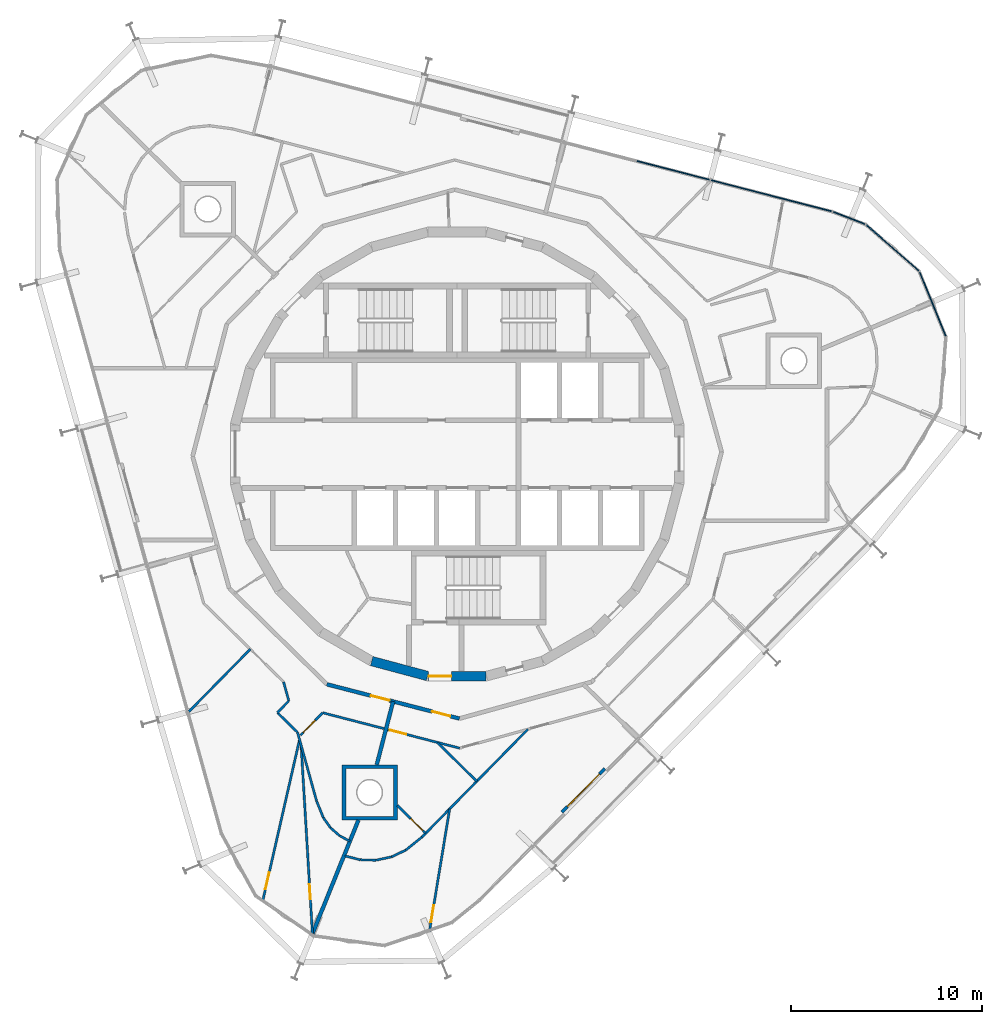
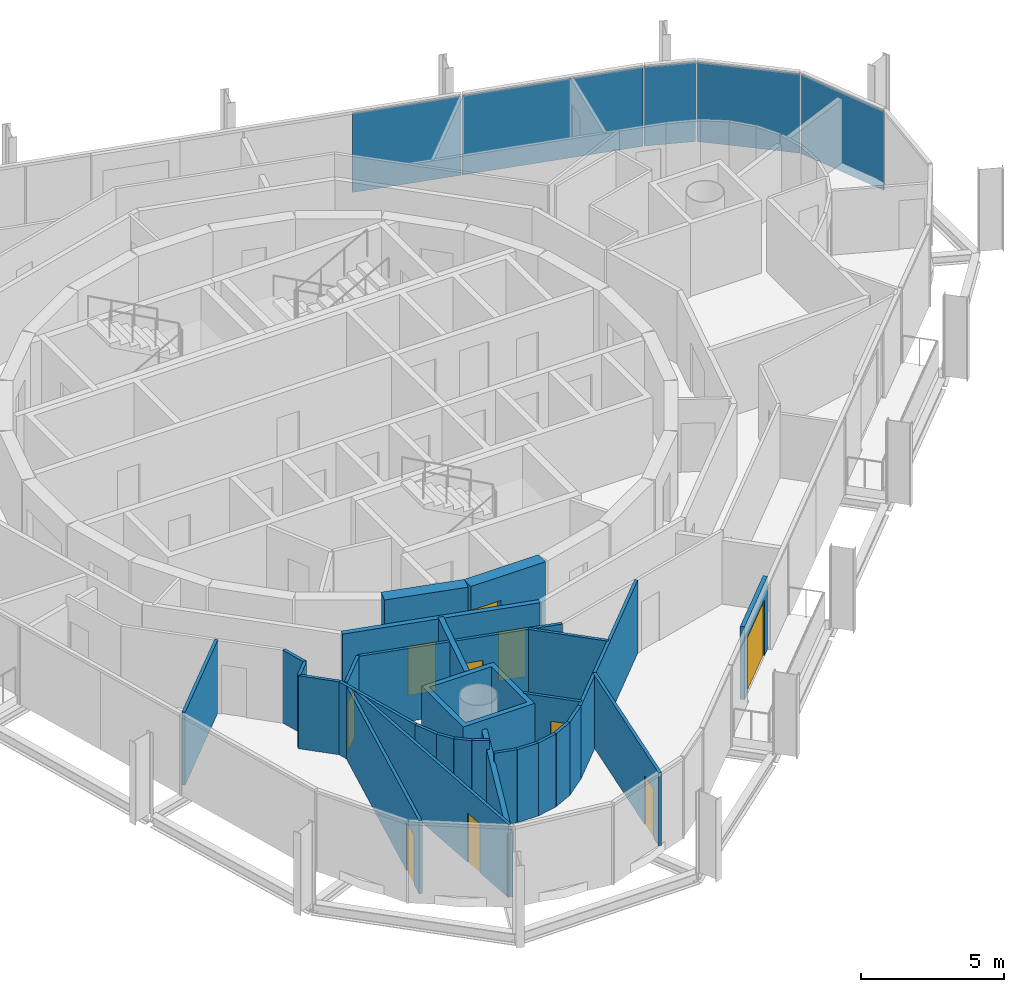
# One storey, part 9 of 15: 29 walls, 10 doors, 5 plates, 10 openings, 2 elements without a shape of their own.
"""IFC4 building model written with IfcOpenShell, lengths in metres."""

from ifc_helpers import new_model, si_unit, direction, frame, frame_2d, origin, origin_2d, place, context, subcontext, project, spatial, polyline, rectangle, outline, extrude, material, layer, layer_set, type_object, element, fill, aggregate, save


model = new_model("IFC4")

# Units and contexts
model_context = context("Model", 3, precision=1e-05, world=origin(), true_north=direction((0.0, 1.0)))
body_context = subcontext(model_context, "Body", "Model", "MODEL_VIEW")
ifc_project = project(units=[si_unit("LENGTHUNIT", "METRE"), si_unit("AREAUNIT", "SQUARE_METRE"), si_unit("VOLUMEUNIT", "CUBIC_METRE"), si_unit("PLANEANGLEUNIT", "RADIAN"), si_unit("MASSUNIT", "GRAM", prefix="KILO")], contexts=[model_context])

# Site, building, storey
site_placement = place(None, origin())
site = spatial("IfcSite", under=ifc_project, at=site_placement, CompositionType="ELEMENT")
building_placement = place(site_placement, origin())
building = spatial("IfcBuilding", under=site, at=building_placement, Name="Spindle Arch Residences", CompositionType="ELEMENT")
storey_placement = place(building_placement, frame((0.0, 0.0, 319.199951171875)))
storey = spatial("IfcBuildingStorey", under=building, at=storey_placement, Name="L82", CompositionType="ELEMENT", Elevation=319.199951171875)

# Curtain wall, plates
ifc_material_1 = material(Name="Aluminium bronze unitised frame with tinted glass", Category="aluminium")
ifc_layer_1 = layer(ifc_material_1, 0.159912109375)
ifc_layer_set_1 = layer_set([ifc_layer_1], Name="CW-D corner wall on the fillet arcs")
curtain_wall_type_1 = type_object("IfcCurtainWallType", Name="CW-D corner wall on the fillet arcs", PredefinedType="NOTDEFINED", material=ifc_layer_set_1)
curtain_wall_1_placement = place(storey_placement, origin())
curtain_wall_1 = element("IfcCurtainWall", 1, at=curtain_wall_1_placement, inside=storey, type_object=curtain_wall_type_1, Name="CW-D L82 run 1", PredefinedType="NOTDEFINED")
ifc_material_2 = material(Name="Tinted double glazing over aluminium faced non-combustible spandrel zone (K0)", Category="aluminium")
ifc_layer_2 = layer(ifc_material_2, 0.06005859375)
ifc_layer_set_2 = layer_set([ifc_layer_2], Name="Unitised glass panel with E 60 spandrel zone")
plate_type = type_object("IfcPlateType", Name="Unitised glass panel with E 60 spandrel zone", PredefinedType="CURTAIN_PANEL", material=ifc_layer_set_2)
plate_1_placement = place(storey_placement, frame((24.94384765625, 7.86474609375, -0.3798828125), z_axis=(0.0, 0.0, 1.0), x_axis=(-0.377302072189, 0.926090247396, 0.0)))
plate_1 = element("IfcPlate", 2, at=plate_1_placement, type_object=plate_type, Name="CW-D unit 03", PredefinedType="CURTAIN_PANEL", context=body_context, shape_type="SweptSolid", body=[
    extrude(rectangle(XDim=3.666748046875, YDim=0.06005859375, at=origin_2d()), origin(), (0.0, 0.0, 1.0), 3.3798828125),
])
plate_2_placement = place(storey_placement, frame((22.837890625, 10.81689453125, -0.3798828125), z_axis=(0.0, 0.0, 1.0), x_axis=(-0.752797991635, 0.658251611308, 0.0)))
plate_2 = element("IfcPlate", 3, at=plate_2_placement, type_object=plate_type, Name="CW-D unit 04", PredefinedType="CURTAIN_PANEL", context=body_context, shape_type="SweptSolid", body=[
    extrude(rectangle(XDim=3.666748046875, YDim=0.06005859375, at=origin_2d()), origin(), (0.0, 0.0, 1.0), 3.3798828125),
])
plate_3_placement = place(storey_placement, frame((20.560546875, 12.38232421875, -0.3798828125), z_axis=(0.0, 0.0, 1.0), x_axis=(-0.932534030225, 0.361082099353, 0.0)))
plate_3 = element("IfcPlate", 4, at=plate_3_placement, type_object=plate_type, Name="CW-D unit 05", PredefinedType="CURTAIN_PANEL", context=body_context, shape_type="SweptSolid", body=[
    extrude(rectangle(XDim=1.816162109375, YDim=0.06005859375, at=origin_2d()), origin(), (0.0, 0.0, 1.0), 3.3798828125),
])
plate_4_placement = place(storey_placement, frame((16.483154296875, 13.549072265625, -0.3798828125), z_axis=(0.0, 0.0, 1.0), x_axis=(-0.968147640378, 0.250380004054, 0.0)))
plate_4 = element("IfcPlate", 5, at=plate_4_placement, type_object=plate_type, Name="CW-D unit 06", PredefinedType="CURTAIN_PANEL", context=body_context, shape_type="SweptSolid", body=[
    extrude(rectangle(XDim=6.555908203125, YDim=0.06005859375, at=origin_2d()), origin(), (0.0, 0.0, 1.0), 3.3798828125),
])
aggregate(curtain_wall_1, [plate_1, plate_2, plate_3, plate_4])

# Curtain wall, plate
ifc_material_3 = material(Name="Aluminium bronze unitised frame with tinted glass", Category="aluminium")
ifc_layer_3 = layer(ifc_material_3, 0.159912109375)
ifc_layer_set_3 = layer_set([ifc_layer_3], Name="CW-C typical residential unitised wall")
curtain_wall_type_2 = type_object("IfcCurtainWallType", Name="CW-C typical residential unitised wall", PredefinedType="NOTDEFINED", material=ifc_layer_set_3)
curtain_wall_2_placement = place(storey_placement, origin())
curtain_wall_2 = element("IfcCurtainWall", 6, at=curtain_wall_2_placement, inside=storey, type_object=curtain_wall_type_2, Name="CW-C L82 run 2", PredefinedType="NOTDEFINED")
plate_5_placement = place(storey_placement, frame((11.34521484375, 14.8779296875, -0.3798828125), z_axis=(0.0, 0.0, 1.0), x_axis=(-0.968147640378, 0.250380004054, 0.0)))
plate_5 = element("IfcPlate", 7, at=plate_5_placement, type_object=plate_type, Name="CW-C unit 05A", PredefinedType="CURTAIN_PANEL", context=body_context, shape_type="SweptSolid", body=[
    extrude(rectangle(XDim=3.9375, YDim=0.06005859375, at=origin_2d()), origin(), (0.0, 0.0, 1.0), 3.3798828125),
])
aggregate(curtain_wall_2, [plate_5])

# Wall
ifc_material_4 = material(Name="Concrete C50/60", Category="concrete")
ifc_layer_4 = layer(ifc_material_4, 0.5)
ifc_layer_set_4 = layer_set([ifc_layer_4], Name="Core outline wall 500")
wall_type_1 = type_object("IfcWallType", Name="Core outline wall 500", PredefinedType="SHEAR", material=ifc_layer_set_4)
wall_1_placement = place(storey_placement, frame((-4.479248046875, -10.858154296875, 0.0), z_axis=(0.0, 0.0, 1.0), x_axis=(0.965948410781, -0.258734743916, 0.0)))
element("IfcWall", 8, at=wall_1_placement, inside=storey, type_object=wall_type_1, Name="Core outline wall 23", PredefinedType="SHEAR", context=body_context, shape_type="SweptSolid", body=[
    extrude(rectangle(XDim=3.03271484375, YDim=0.5, at=frame_2d((1.516357421875, 0.0))), origin(), (0.0, 0.0, 1.0), 3.1201171875),
])

# Wall, opening, door
wall_2_placement = place(storey_placement, frame((-1.516357421875, -11.647216796875, 0.0), z_axis=(0.0, 0.0, 1.0), x_axis=(1.0, 0.0, 0.0)))
wall_2 = element("IfcWall", 9, at=wall_2_placement, inside=storey, type_object=wall_type_1, Name="Core outline wall 24", PredefinedType="SHEAR", context=body_context, shape_type="SweptSolid", body=[
    extrude(rectangle(XDim=3.03271484375, YDim=0.5, at=frame_2d((1.516357421875, 0.0))), origin(), (0.0, 0.0, 1.0), 3.1201171875),
])
opening_1_placement = place(wall_2_placement, frame((0.016357421875, 0.0, 0.0)))
opening_1 = element("IfcOpeningElement", 10, at=opening_1_placement, cuts=wall_2, Name="Opening R8C0-AD03", PredefinedType="OPENING", context=body_context, shape_type="SweptSolid", body=[
    extrude(rectangle(XDim=1.199951171875, YDim=2.10009765625, at=frame_2d((0.60009765625, 1.050048828125))), frame((0.0, 0.260009765625, 0.0), z_axis=(0.0, -1.0, 0.0), x_axis=(1.0, 0.0, 0.0)), (0.0, 0.0, 1.0), 0.52001953125),
])
ifc_material_5 = material(Name="Steel, fire-resisting door", Category="steel")
door_type_1 = type_object("IfcDoorType", Name="Stair airlock door 1200x2100", OperationType="SINGLE_SWING_LEFT", PredefinedType="DOOR", material=ifc_material_5)
door_1_placement = place(opening_1_placement, origin())
door_1 = element("IfcDoor", 11, at=door_1_placement, inside=storey, type_object=door_type_1, Name="Stair airlock door R8C0-AD03", OperationType="SINGLE_SWING_RIGHT", OverallHeight=2.10009765625, OverallWidth=1.199951171875, PredefinedType="DOOR", context=body_context, shape_type="SweptSolid", body=[
    extrude(rectangle(XDim=1.199951171875, YDim=2.10009765625, at=frame_2d((0.60009765625, 1.050048828125))), frame((0.0, 0.02490234375, 0.0), z_axis=(0.0, -1.0, 0.0), x_axis=(1.0, 0.0, 0.0)), (0.0, 0.0, 1.0), 0.050048828125),
])
fill(opening_1, door_1)

# Wall, openings, doors
ifc_material_6 = material(Name="Calcium silicate block, plastered")
ifc_layer_5 = layer(ifc_material_6, 0.199951171875)
ifc_layer_set_5 = layer_set([ifc_layer_5], Name="Corridor wall 200")
wall_type_2 = type_object("IfcWallType", Name="Corridor wall 200", PredefinedType="STANDARD", material=ifc_layer_set_5)
wall_3_placement = place(storey_placement, frame((-6.831298828125, -12.07421875, 0.0), z_axis=(0.0, 0.0, 1.0), x_axis=(0.968144780225, -0.250391063186, 0.0)))
wall_3 = element("IfcWall", 12, at=wall_3_placement, inside=storey, type_object=wall_type_2, Name="Corridor wall R8C0-W014", PredefinedType="STANDARD", context=body_context, shape_type="SweptSolid", body=[
    extrude(rectangle(XDim=7.18115234375, YDim=0.199951171875, at=frame_2d((3.590576171875, 0.0))), origin(), (0.0, 0.0, 1.0), 3.1201171875),
])
opening_2_placement = place(wall_3_placement, frame((2.390380859375, 0.0, 0.0)))
opening_2 = element("IfcOpeningElement", 13, at=opening_2_placement, cuts=wall_3, Name="Opening R8C0-FD04", PredefinedType="OPENING", context=body_context, shape_type="SweptSolid", body=[
    extrude(rectangle(XDim=1.0, YDim=2.10009765625, at=frame_2d((0.5, 1.050048828125))), frame((0.0, 0.10986328125, 0.0), z_axis=(0.0, -1.0, 0.0), x_axis=(1.0, 0.0, 0.0)), (0.0, 0.0, 1.0), 0.219970703125),
])
opening_3_placement = place(wall_3_placement, frame((5.6904296875, 0.0, 0.0)))
opening_3 = element("IfcOpeningElement", 14, at=opening_3_placement, cuts=wall_3, Name="Opening R8C0-FD05", PredefinedType="OPENING", context=body_context, shape_type="SweptSolid", body=[
    extrude(rectangle(XDim=1.0, YDim=2.10009765625, at=frame_2d((0.5, 1.050048828125))), frame((0.0, 0.10986328125, 0.0), z_axis=(0.0, -1.0, 0.0), x_axis=(1.0, 0.0, 0.0)), (0.0, 0.0, 1.0), 0.219970703125),
])
ifc_material_7 = material(Name="Timber, fire-resisting door set", Category="wood")
door_type_2 = type_object("IfcDoorType", Name="Flat entrance door 1000x2100", OperationType="NOTDEFINED", PredefinedType="DOOR", material=ifc_material_7)
door_2_placement = place(opening_2_placement, origin())
door_2 = element("IfcDoor", 15, at=door_2_placement, inside=storey, type_object=door_type_2, Name="Flat entrance door R8C0-FD04", OperationType="SINGLE_SWING_RIGHT", OverallHeight=2.10009765625, OverallWidth=1.0, PredefinedType="DOOR", context=body_context, shape_type="SweptSolid", body=[
    extrude(rectangle(XDim=1.0, YDim=2.10009765625, at=frame_2d((0.5, 1.050048828125))), frame((0.0, 0.02490234375, 0.0), z_axis=(0.0, -1.0, 0.0), x_axis=(1.0, 0.0, 0.0)), (0.0, 0.0, 1.0), 0.050048828125),
])
fill(opening_2, door_2)
door_3_placement = place(opening_3_placement, origin())
door_3 = element("IfcDoor", 16, at=door_3_placement, inside=storey, type_object=door_type_2, Name="Flat entrance door R8C0-FD05", OperationType="SINGLE_SWING_LEFT", OverallHeight=2.10009765625, OverallWidth=1.0, PredefinedType="DOOR", context=body_context, shape_type="SweptSolid", body=[
    extrude(rectangle(XDim=1.0, YDim=2.10009765625, at=frame_2d((0.5, 1.050048828125))), frame((0.0, 0.02490234375, 0.0), z_axis=(0.0, -1.0, 0.0), x_axis=(1.0, 0.0, 0.0)), (0.0, 0.0, 1.0), 0.050048828125),
])
fill(opening_3, door_3)

# Walls
ifc_material_8 = material(Name="Plasterboard on steel studs", Category="steel")
ifc_layer_6 = layer(ifc_material_8, 0.1201171875)
ifc_layer_set_6 = layer_set([ifc_layer_6], Name="Flat partition 120")
wall_type_3 = type_object("IfcWallType", Name="Flat partition 120", PredefinedType="PARTITIONING", material=ifc_layer_set_6)
wall_4_placement = place(storey_placement, frame((-9.103759765625, -11.944091796875, 0.0), z_axis=(0.0, 0.0, 1.0), x_axis=(0.267317596771, -0.963608479859, 0.0)))
element("IfcWall", 17, at=wall_4_placement, inside=storey, type_object=wall_type_3, Name="Flat partition R8C0-W069", PredefinedType="PARTITIONING", context=body_context, shape_type="SweptSolid", body=[
    extrude(rectangle(XDim=1.0419921875, YDim=0.1201171875, at=frame_2d((0.52099609375, 0.0))), origin(), (0.0, 0.0, 1.0), 3.1201171875),
])
wall_5_placement = place(storey_placement, frame((-8.8251953125, -12.9482421875, 0.0), z_axis=(0.0, 0.0, 1.0), x_axis=(-0.700949034431, -0.713211364976, 0.0)))
element("IfcWall", 18, at=wall_5_placement, inside=storey, type_object=wall_type_3, Name="Flat partition R8C0-W070", PredefinedType="PARTITIONING", context=body_context, shape_type="SweptSolid", body=[
    extrude(rectangle(XDim=0.856201171875, YDim=0.1201171875, at=frame_2d((0.42822265625, 0.0))), origin(), (0.0, 0.0, 1.0), 3.1201171875),
])
wall_6_placement = place(storey_placement, frame((-9.42529296875, -13.558837890625, 0.0), z_axis=(0.0, 0.0, 1.0), x_axis=(0.713255540994, -0.700904082768, 0.0)))
element("IfcWall", 19, at=wall_6_placement, inside=storey, type_object=wall_type_3, Name="Flat partition R8C0-W071", PredefinedType="PARTITIONING", context=body_context, shape_type="SweptSolid", body=[
    extrude(rectangle(XDim=1.482421875, YDim=0.1201171875, at=frame_2d((0.7412109375, 0.0))), origin(), (0.0, 0.0, 1.0), 3.1201171875),
])

# Wall, opening, door
wall_7_placement = place(storey_placement, frame((-8.212646484375, -14.750244140625, 0.0), z_axis=(0.0, 0.0, 1.0), x_axis=(0.700899260151, 0.713260280066, 0.0)))
wall_7 = element("IfcWall", 20, at=wall_7_placement, inside=storey, type_object=wall_type_3, Name="Flat partition R8C0-W072", PredefinedType="PARTITIONING", context=body_context, shape_type="SweptSolid", body=[
    extrude(rectangle(XDim=1.6591796875, YDim=0.1201171875, at=frame_2d((0.82958984375, 0.0))), origin(), (0.0, 0.0, 1.0), 3.1201171875),
])
opening_4_placement = place(wall_7_placement, frame((0.199951171875, 0.0, 0.0)))
opening_4 = element("IfcOpeningElement", 21, at=opening_4_placement, cuts=wall_7, Name="Opening R8C0-ID15", PredefinedType="OPENING", context=body_context, shape_type="SweptSolid", body=[
    extrude(rectangle(XDim=0.89990234375, YDim=2.10009765625, at=frame_2d((0.449951171875, 1.050048828125))), frame((0.0, 0.070068359375, 0.0), z_axis=(0.0, -1.0, 0.0), x_axis=(1.0, 0.0, 0.0)), (0.0, 0.0, 1.0), 0.14013671875),
])
ifc_material_9 = material(Name="Timber door set", Category="wood")
door_type_3 = type_object("IfcDoorType", Name="Room door 900x2100", OperationType="NOTDEFINED", PredefinedType="DOOR", material=ifc_material_9)
door_4_placement = place(opening_4_placement, origin())
door_4 = element("IfcDoor", 22, at=door_4_placement, inside=storey, type_object=door_type_3, Name="Room door R8C0-ID15", OperationType="SINGLE_SWING_LEFT", OverallHeight=2.10009765625, OverallWidth=0.89990234375, PredefinedType="DOOR", context=body_context, shape_type="SweptSolid", body=[
    extrude(rectangle(XDim=0.89990234375, YDim=2.10009765625, at=frame_2d((0.449951171875, 1.050048828125))), frame((0.0, 0.02490234375, 0.0), z_axis=(0.0, -1.0, 0.0), x_axis=(1.0, 0.0, 0.0)), (0.0, 0.0, 1.0), 0.050048828125),
])
fill(opening_4, door_4)

wall_8_placement = place(storey_placement, frame((-7.0498046875, -13.56689453125, 0.0), z_axis=(0.0, 0.0, 1.0), x_axis=(0.968142373865, -0.250400367264, 0.0)))
wall_8 = element("IfcWall", 23, at=wall_8_placement, inside=storey, type_object=wall_type_3, Name="Flat partition R8C0-W073", PredefinedType="PARTITIONING", context=body_context, shape_type="SweptSolid", body=[
    extrude(rectangle(XDim=7.420654296875, YDim=0.1201171875, at=frame_2d((3.71044921875, 0.0))), origin(), (0.0, 0.0, 1.0), 3.1201171875),
])
opening_5_placement = place(wall_8_placement, frame((3.62841796875, 0.0, 0.0)))
opening_5 = element("IfcOpeningElement", 24, at=opening_5_placement, cuts=wall_8, Name="Opening R8C0-ID17", PredefinedType="OPENING", context=body_context, shape_type="SweptSolid", body=[
    extrude(rectangle(XDim=0.89990234375, YDim=2.10009765625, at=frame_2d((0.449951171875, 1.050048828125))), frame((0.0, 0.070068359375, 0.0), z_axis=(0.0, -1.0, 0.0), x_axis=(1.0, 0.0, 0.0)), (0.0, 0.0, 1.0), 0.14013671875),
])
door_5_placement = place(opening_5_placement, origin())
door_5 = element("IfcDoor", 25, at=door_5_placement, inside=storey, type_object=door_type_3, Name="Room door R8C0-ID17", OperationType="SINGLE_SWING_RIGHT", OverallHeight=2.10009765625, OverallWidth=0.89990234375, PredefinedType="DOOR", context=body_context, shape_type="SweptSolid", body=[
    extrude(rectangle(XDim=0.89990234375, YDim=2.10009765625, at=frame_2d((0.449951171875, 1.050048828125))), frame((0.0, 0.02490234375, 0.0), z_axis=(0.0, -1.0, 0.0), x_axis=(1.0, 0.0, 0.0)), (0.0, 0.0, 1.0), 0.050048828125),
])
fill(opening_5, door_5)

# Wall
wall_9_placement = place(storey_placement, frame((-14.06640625, -13.5078125, 0.0), z_axis=(0.0, 0.0, 1.0), x_axis=(0.700941781432, 0.7132184932, 0.0)))
element("IfcWall", 26, at=wall_9_placement, inside=storey, type_object=wall_type_3, Name="Flat partition R8C0-W074", PredefinedType="PARTITIONING", context=body_context, shape_type="SweptSolid", body=[
    extrude(rectangle(XDim=4.59375, YDim=0.1201171875, at=frame_2d((2.296875, 0.0))), origin(), (0.0, 0.0, 1.0), 3.1201171875),
])

# Wall, opening, door
wall_10_placement = place(storey_placement, frame((-10.187255859375, -23.405517578125, 0.0), z_axis=(0.0, 0.0, 1.0), x_axis=(0.222411648081, 0.974952849526, 0.0)))
wall_10 = element("IfcWall", 27, at=wall_10_placement, inside=storey, type_object=wall_type_3, Name="Flat partition R8C0-W075", PredefinedType="PARTITIONING", context=body_context, shape_type="SweptSolid", body=[
    extrude(rectangle(XDim=8.648681640625, YDim=0.1201171875, at=frame_2d((4.32421875, 0.0))), origin(), (0.0, 0.0, 1.0), 3.1201171875),
])
opening_6_placement = place(wall_10_placement, frame((0.60009765625, 0.0, 0.0)))
opening_6 = element("IfcOpeningElement", 28, at=opening_6_placement, cuts=wall_10, Name="Opening R8C0-ID16", PredefinedType="OPENING", context=body_context, shape_type="SweptSolid", body=[
    extrude(rectangle(XDim=0.89990234375, YDim=2.10009765625, at=frame_2d((0.449951171875, 1.050048828125))), frame((0.0, 0.070068359375, 0.0), z_axis=(0.0, -1.0, 0.0), x_axis=(1.0, 0.0, 0.0)), (0.0, 0.0, 1.0), 0.14013671875),
])
door_6_placement = place(opening_6_placement, origin())
door_6 = element("IfcDoor", 29, at=door_6_placement, inside=storey, type_object=door_type_3, Name="Room door R8C0-ID16", OperationType="SINGLE_SWING_RIGHT", OverallHeight=2.10009765625, OverallWidth=0.89990234375, PredefinedType="DOOR", context=body_context, shape_type="SweptSolid", body=[
    extrude(rectangle(XDim=0.89990234375, YDim=2.10009765625, at=frame_2d((0.449951171875, 1.050048828125))), frame((0.0, 0.02490234375, 0.0), z_axis=(0.0, -1.0, 0.0), x_axis=(1.0, 0.0, 0.0)), (0.0, 0.0, 1.0), 0.050048828125),
])
fill(opening_6, door_6)

# Wall
wall_11_placement = place(storey_placement, frame((-7.368408203125, -18.201904296875, 0.0), z_axis=(0.0, 0.0, 1.0), x_axis=(-0.267246564077, 0.963628182438, 0.0)))
element("IfcWall", 30, at=wall_11_placement, inside=storey, type_object=wall_type_3, Name="Flat partition R8C0-W076", PredefinedType="PARTITIONING", context=body_context, shape_type="SweptSolid", body=[
    extrude(rectangle(XDim=3.739990234375, YDim=0.1201171875, at=frame_2d((1.8701171875, 0.0))), origin(), (0.0, 0.0, 1.0), 3.1201171875),
])

# Wall, opening, door
wall_12_placement = place(storey_placement, frame((-7.58740234375, -25.14794921875, 0.0), z_axis=(0.0, 0.0, 1.0), x_axis=(-0.060023558623, 0.99819696073, 0.0)))
wall_12 = element("IfcWall", 31, at=wall_12_placement, inside=storey, type_object=wall_type_3, Name="Flat partition R8C0-W077", PredefinedType="PARTITIONING", context=body_context, shape_type="SweptSolid", body=[
    extrude(rectangle(XDim=9.89599609375, YDim=0.1201171875, at=frame_2d((4.947998046875, 0.0))), origin(), (0.0, 0.0, 1.0), 3.1201171875),
])
opening_7_placement = place(wall_12_placement, frame((1.800048828125, 0.0, 0.0)))
opening_7 = element("IfcOpeningElement", 32, at=opening_7_placement, cuts=wall_12, Name="Opening R8C0-BD04", PredefinedType="OPENING", context=body_context, shape_type="SweptSolid", body=[
    extrude(rectangle(XDim=0.800048828125, YDim=2.10009765625, at=frame_2d((0.39990234375, 1.050048828125))), frame((0.0, 0.070068359375, 0.0), z_axis=(0.0, -1.0, 0.0), x_axis=(1.0, 0.0, 0.0)), (0.0, 0.0, 1.0), 0.14013671875),
])
ifc_material_10 = material(Name="Timber door set", Category="wood")
door_type_4 = type_object("IfcDoorType", Name="Bathroom door 800x2100", OperationType="NOTDEFINED", PredefinedType="DOOR", material=ifc_material_10)
door_7_placement = place(opening_7_placement, origin())
door_7 = element("IfcDoor", 33, at=door_7_placement, inside=storey, type_object=door_type_4, Name="Bathroom door R8C0-BD04", OperationType="SINGLE_SWING_RIGHT", OverallHeight=2.10009765625, OverallWidth=0.800048828125, PredefinedType="DOOR", context=body_context, shape_type="SweptSolid", body=[
    extrude(rectangle(XDim=0.800048828125, YDim=2.10009765625, at=frame_2d((0.39990234375, 1.050048828125))), frame((0.0, 0.02490234375, 0.0), z_axis=(0.0, -1.0, 0.0), x_axis=(1.0, 0.0, 0.0)), (0.0, 0.0, 1.0), 0.050048828125),
])
fill(opening_7, door_7)

# Walls
wall_13_placement = place(storey_placement, frame((-7.368408203125, -18.201904296875, 0.0), z_axis=(0.0, 0.0, 1.0), x_axis=(0.377296887314, -0.92609235977, 0.0)))
element("IfcWall", 34, at=wall_13_placement, inside=storey, type_object=wall_type_3, Name="Flat partition R8C0-W078", PredefinedType="PARTITIONING", context=body_context, shape_type="SweptSolid", body=[
    extrude(rectangle(XDim=0.94677734375, YDim=0.1201171875, at=frame_2d((0.473388671875, 0.0))), origin(), (0.0, 0.0, 1.0), 3.1201171875),
])
wall_14_placement = place(storey_placement, frame((-7.01123046875, -19.07861328125, 0.0), z_axis=(0.0, 0.0, 1.0), x_axis=(0.580662514246, -0.814144363458, 0.0)))
element("IfcWall", 35, at=wall_14_placement, inside=storey, type_object=wall_type_3, Name="Flat partition R8C0-W079", PredefinedType="PARTITIONING", context=body_context, shape_type="SweptSolid", body=[
    extrude(rectangle(XDim=0.64208984375, YDim=0.1201171875, at=frame_2d((0.321044921875, 0.0))), origin(), (0.0, 0.0, 1.0), 3.1201171875),
])
wall_15_placement = place(storey_placement, frame((-6.638427734375, -19.601318359375, 0.0), z_axis=(0.0, 0.0, 1.0), x_axis=(0.753047703781, -0.657965923001, 0.0)))
element("IfcWall", 36, at=wall_15_placement, inside=storey, type_object=wall_type_3, Name="Flat partition R8C0-W080", PredefinedType="PARTITIONING", context=body_context, shape_type="SweptSolid", body=[
    extrude(rectangle(XDim=0.641845703125, YDim=0.1201171875, at=frame_2d((0.32080078125, 0.0))), origin(), (0.0, 0.0, 1.0), 3.1201171875),
])
wall_16_placement = place(storey_placement, frame((-6.155029296875, -20.023681640625, 0.0), z_axis=(0.0, 0.0, 1.0), x_axis=(0.884133271246, -0.467234800369, 0.0)))
element("IfcWall", 37, at=wall_16_placement, inside=storey, type_object=wall_type_3, Name="Flat partition R8C0-W081", PredefinedType="PARTITIONING", context=body_context, shape_type="SweptSolid", body=[
    extrude(rectangle(XDim=0.601318359375, YDim=0.1201171875, at=frame_2d((0.30078125, 0.0))), origin(), (0.0, 0.0, 1.0), 3.1201171875),
])
wall_17_placement = place(storey_placement, frame((-5.87841796875, -21.07470703125, 0.0), z_axis=(0.0, 0.0, 1.0), x_axis=(0.968171520146, -0.250287649673, 0.0)))
element("IfcWall", 38, at=wall_17_placement, inside=storey, type_object=wall_type_3, Name="Flat partition R8C0-W083", PredefinedType="PARTITIONING", context=body_context, shape_type="SweptSolid", body=[
    extrude(rectangle(XDim=0.8291015625, YDim=0.1201171875, at=frame_2d((0.41455078125, 0.0))), origin(), (0.0, 0.0, 1.0), 3.1201171875),
])
for number, where, z_axis, x_axis, name in (
    (39, (-5.07568359375, -21.2822265625, 0.0), (0.0, 0.0, 1.0), (0.999793409707, -0.020325794128, 0.0), "Flat partition R8C0-W084"),
    (40, (-4.2470703125, -21.299072265625, 0.0), (0.0, 0.0, 1.0), (0.977512711923, 0.210876499469, 0.0), "Flat partition R8C0-W085"),
):
    element("IfcWall", number, at=place(storey_placement, frame(where, z_axis=z_axis, x_axis=x_axis)), inside=storey, type_object=wall_type_3, Name=name, PredefinedType="PARTITIONING", context=body_context, shape_type="SweptSolid", body=[
        extrude(rectangle(XDim=0.828857421875, YDim=0.1201171875, at=frame_2d((0.41455078125, 0.0))), origin(), (0.0, 0.0, 1.0), 3.1201171875),
    ])
wall_18_placement = place(storey_placement, frame((-3.436767578125, -21.124267578125, 0.0), z_axis=(0.0, 0.0, 1.0), x_axis=(0.902637137035, 0.430402368541, 0.0)))
element("IfcWall", 41, at=wall_18_placement, inside=storey, type_object=wall_type_3, Name="Flat partition R8C0-W086", PredefinedType="PARTITIONING", context=body_context, shape_type="SweptSolid", body=[
    extrude(rectangle(XDim=0.82861328125, YDim=0.1201171875, at=frame_2d((0.414306640625, 0.0))), origin(), (0.0, 0.0, 1.0), 3.1201171875),
])
wall_19_placement = place(storey_placement, frame((-2.688720703125, -20.767578125, 0.0), z_axis=(0.0, 0.0, 1.0), x_axis=(0.778936756675, 0.627102486919, 0.0)))
element("IfcWall", 42, at=wall_19_placement, inside=storey, type_object=wall_type_3, Name="Flat partition R8C0-W087", PredefinedType="PARTITIONING", context=body_context, shape_type="SweptSolid", body=[
    extrude(rectangle(XDim=1.0869140625, YDim=0.1201171875, at=frame_2d((0.54345703125, 0.0))), origin(), (0.0, 0.0, 1.0), 3.1201171875),
])
wall_20_placement = place(storey_placement, frame((-1.842041015625, -20.0859375, 0.0), z_axis=(0.0, 0.0, 1.0), x_axis=(0.700919640212, 0.713240252625, 0.0)))
element("IfcWall", 43, at=wall_20_placement, inside=storey, type_object=wall_type_3, Name="Flat partition R8C0-W088", PredefinedType="PARTITIONING", context=body_context, shape_type="SweptSolid", body=[
    extrude(rectangle(XDim=7.92626953125, YDim=0.1201171875, at=frame_2d((3.963134765625, 0.0))), origin(), (0.0, 0.0, 1.0), 3.1201171875),
])

# Wall, opening, door
wall_21_placement = place(storey_placement, frame((-1.648681640625, -19.88916015625, 0.0), z_axis=(0.0, 0.0, 1.0), x_axis=(-0.713270858454, 0.700888495041, 0.0)))
wall_21 = element("IfcWall", 44, at=wall_21_placement, inside=storey, type_object=wall_type_3, Name="Flat partition R8C0-W089", PredefinedType="PARTITIONING", context=body_context, shape_type="SweptSolid", body=[
    extrude(rectangle(XDim=2.090087890625, YDim=0.1201171875, at=frame_2d((1.044921875, 0.0))), origin(), (0.0, 0.0, 1.0), 3.1201171875),
])
opening_8_placement = place(wall_21_placement, frame((0.199951171875, 0.0, 0.0)))
opening_8 = element("IfcOpeningElement", 45, at=opening_8_placement, cuts=wall_21, Name="Opening R8C0-ID19", PredefinedType="OPENING", context=body_context, shape_type="SweptSolid", body=[
    extrude(rectangle(XDim=0.89990234375, YDim=2.10009765625, at=frame_2d((0.449951171875, 1.050048828125))), frame((0.0, 0.070068359375, 0.0), z_axis=(0.0, -1.0, 0.0), x_axis=(1.0, 0.0, 0.0)), (0.0, 0.0, 1.0), 0.14013671875),
])
door_8_placement = place(opening_8_placement, origin())
door_8 = element("IfcDoor", 46, at=door_8_placement, inside=storey, type_object=door_type_3, Name="Room door R8C0-ID19", OperationType="SINGLE_SWING_LEFT", OverallHeight=2.10009765625, OverallWidth=0.89990234375, PredefinedType="DOOR", context=body_context, shape_type="SweptSolid", body=[
    extrude(rectangle(XDim=0.89990234375, YDim=2.10009765625, at=frame_2d((0.449951171875, 1.050048828125))), frame((0.0, 0.02490234375, 0.0), z_axis=(0.0, -1.0, 0.0), x_axis=(1.0, 0.0, 0.0)), (0.0, 0.0, 1.0), 0.050048828125),
])
fill(opening_8, door_8)

wall_22_placement = place(storey_placement, frame((-1.45263671875, -25.052734375, 0.0), z_axis=(0.0, 0.0, 1.0), x_axis=(0.162683241952, 0.986678348191, 0.0)))
wall_22 = element("IfcWall", 47, at=wall_22_placement, inside=storey, type_object=wall_type_3, Name="Flat partition R8C0-W090", PredefinedType="PARTITIONING", context=body_context, shape_type="SweptSolid", body=[
    extrude(rectangle(XDim=6.531005859375, YDim=0.1201171875, at=frame_2d((3.265625, 0.0))), origin(), (0.0, 0.0, 1.0), 3.1201171875),
])
opening_9_placement = place(wall_22_placement, frame((0.5, 0.0, 0.0)))
opening_9 = element("IfcOpeningElement", 48, at=opening_9_placement, cuts=wall_22, Name="Opening R8C0-ID20", PredefinedType="OPENING", context=body_context, shape_type="SweptSolid", body=[
    extrude(rectangle(XDim=0.89990234375, YDim=2.10009765625, at=frame_2d((0.449951171875, 1.050048828125))), frame((0.0, 0.070068359375, 0.0), z_axis=(0.0, -1.0, 0.0), x_axis=(1.0, 0.0, 0.0)), (0.0, 0.0, 1.0), 0.14013671875),
])
door_9_placement = place(opening_9_placement, origin())
door_9 = element("IfcDoor", 49, at=door_9_placement, inside=storey, type_object=door_type_3, Name="Room door R8C0-ID20", OperationType="SINGLE_SWING_LEFT", OverallHeight=2.10009765625, OverallWidth=0.89990234375, PredefinedType="DOOR", context=body_context, shape_type="SweptSolid", body=[
    extrude(rectangle(XDim=0.89990234375, YDim=2.10009765625, at=frame_2d((0.449951171875, 1.050048828125))), frame((0.0, 0.02490234375, 0.0), z_axis=(0.0, -1.0, 0.0), x_axis=(1.0, 0.0, 0.0)), (0.0, 0.0, 1.0), 0.050048828125),
])
fill(opening_9, door_9)

# Walls
wall_23_placement = place(storey_placement, frame((1.032470703125, -17.160888671875, 0.0), z_axis=(0.0, 0.0, 1.0), x_axis=(-0.713201827259, 0.700958738867, 0.0)))
element("IfcWall", 50, at=wall_23_placement, inside=storey, type_object=wall_type_3, Name="Flat partition R8C0-W091", PredefinedType="PARTITIONING", context=body_context, shape_type="SweptSolid", body=[
    extrude(rectangle(XDim=2.911376953125, YDim=0.1201171875, at=frame_2d((1.45556640625, 0.0))), origin(), (0.0, 0.0, 1.0), 3.1201171875),
])
ifc_material_11 = material(Name="Calcium silicate block, plastered")
ifc_layer_7 = layer(ifc_material_11, 0.199951171875)
ifc_layer_set_7 = layer_set([ifc_layer_7], Name="Flat party wall 200")
wall_type_4 = type_object("IfcWallType", Name="Flat party wall 200", PredefinedType="STANDARD", material=ifc_layer_set_7)
wall_24_placement = place(storey_placement, frame((-4.21435546875, -16.29541015625, 0.0), z_axis=(0.0, 0.0, 1.0), x_axis=(0.250428810918, 0.968135016752, 0.0)))
element("IfcWall", 51, at=wall_24_placement, inside=storey, type_object=wall_type_4, Name="Flat party wall R8C0-W027", PredefinedType="STANDARD", context=body_context, shape_type="SweptSolid", body=[
    extrude(rectangle(XDim=3.431640625, YDim=0.199951171875, at=frame_2d((1.7158203125, 0.0))), origin(), (0.0, 0.0, 1.0), 3.1201171875),
])
ifc_material_12 = material(Name="Calcium silicate block, plastered")
ifc_layer_8 = layer(ifc_material_12, 0.199951171875)
ifc_layer_set_8 = layer_set([ifc_layer_8], Name="Flat party wall 200 under beam 2730")
wall_type_5 = type_object("IfcWallType", Name="Flat party wall 200 under beam 2730", PredefinedType="STANDARD", material=ifc_layer_set_8)
wall_25_placement = place(storey_placement, frame((-7.581787109375, -25.15087890625, 0.0), z_axis=(0.0, 0.0, 1.0), x_axis=(0.374645287615, 0.927168220156, 0.0)))
element("IfcWall", 52, at=wall_25_placement, inside=storey, type_object=wall_type_5, Name="Flat party wall R8C0-W028", PredefinedType="STANDARD", context=body_context, shape_type="SweptSolid", body=[
    extrude(rectangle(XDim=6.42333984375, YDim=0.199951171875, at=frame_2d((3.211669921875, 0.0))), origin(), (0.0, 0.0, 1.0), 2.72998046875),
])

# Wall, opening, door
ifc_material_13 = material(Name="Non-combustible mineral wool insulated aluminium faced external wall (K0)", Category="aluminium")
ifc_layer_9 = layer(ifc_material_13, 0.159912109375)
ifc_layer_set_9 = layer_set([ifc_layer_9], Name="Insulated external wall panel 160")
wall_type_6 = type_object("IfcWallType", Name="Insulated external wall panel 160", PredefinedType="STANDARD", material=ifc_layer_set_9)
wall_26_placement = place(storey_placement, frame((5.50244140625, -18.775634765625, 0.0), z_axis=(0.0, 0.0, 1.0), x_axis=(0.700900076932, 0.713259477439, 0.0)))
wall_26 = element("IfcWall", 53, at=wall_26_placement, inside=storey, type_object=wall_type_6, Name="External wall L82 bay 19", PredefinedType="STANDARD", context=body_context, shape_type="SweptSolid", body=[
    extrude(rectangle(XDim=3.199951171875, YDim=0.159912109375, at=frame_2d((1.60009765625, 0.0))), origin(), (0.0, 0.0, 1.0), 3.1201171875),
])
opening_10_placement = place(wall_26_placement, frame((0.39990234375, 0.0, 0.0)))
opening_10 = element("IfcOpeningElement", 54, at=opening_10_placement, cuts=wall_26, Name="Opening BD19", PredefinedType="OPENING", context=body_context, shape_type="SweptSolid", body=[
    extrude(rectangle(XDim=2.39990234375, YDim=2.39990234375, at=frame_2d((1.199951171875, 1.199951171875))), frame((0.0, 0.08984375, 0.0), z_axis=(0.0, -1.0, 0.0), x_axis=(1.0, 0.0, 0.0)), (0.0, 0.0, 1.0), 0.179931640625),
])
ifc_material_14 = material(Name="Bronze aluminium frame, tinted double glazing", Category="aluminium")
door_type_5 = type_object("IfcDoorType", Name="Sliding glazed balcony door 2400x2400", OperationType="DOUBLE_DOOR_SLIDING", PredefinedType="DOOR", material=ifc_material_14)
door_10_placement = place(opening_10_placement, origin())
door_10 = element("IfcDoor", 55, at=door_10_placement, inside=storey, type_object=door_type_5, Name="Balcony door BD19", OperationType="DOUBLE_DOOR_SLIDING", OverallHeight=2.39990234375, OverallWidth=2.39990234375, PredefinedType="DOOR", context=body_context, shape_type="SweptSolid", body=[
    extrude(rectangle(XDim=2.39990234375, YDim=2.39990234375, at=frame_2d((1.199951171875, 1.199951171875))), frame((0.0, 0.02490234375, 0.0), z_axis=(0.0, -1.0, 0.0), x_axis=(1.0, 0.0, 0.0)), (0.0, 0.0, 1.0), 0.050048828125),
])
fill(opening_10, door_10)

# Wall
ifc_material_15 = material(Name="Calcium silicate block, plastered")
ifc_layer_10 = layer(ifc_material_15, 0.199951171875)
ifc_layer_set_10 = layer_set([ifc_layer_10], Name="Mega-column casing wall 200")
wall_type_7 = type_object("IfcWallType", Name="Mega-column casing wall 200", PredefinedType="STANDARD", material=ifc_layer_set_10)
wall_27_placement = place(storey_placement, origin())
element("IfcWall", 56, at=wall_27_placement, inside=storey, type_object=wall_type_7, Name="Mega-column casing wall R8C0-WC03", PredefinedType="STANDARD", context=body_context, shape_type="SweptSolid", body=[
    extrude(outline(polyline([(-3.139404296875, -16.29541015625), (-3.139404296875, -19.1953125), (-6.039306640625, -19.1953125), (-6.039306640625, -16.29541015625), (-3.139404296875, -16.29541015625)]), holes=[polyline([(-5.83935546875, -18.995361328125), (-3.33935546875, -18.995361328125), (-3.33935546875, -16.495361328125), (-5.83935546875, -16.495361328125), (-5.83935546875, -18.995361328125)])]), origin(), (0.0, 0.0, 1.0), 3.1201171875),
])

save(model, "model.ifc")
